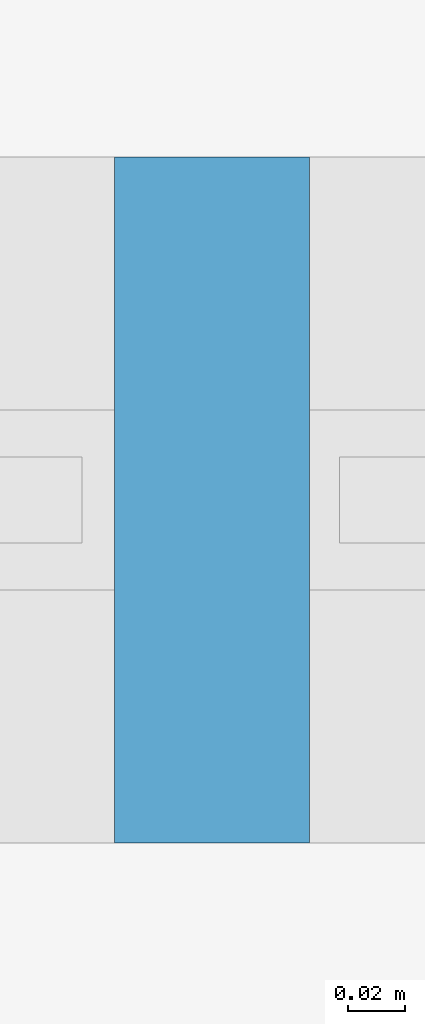
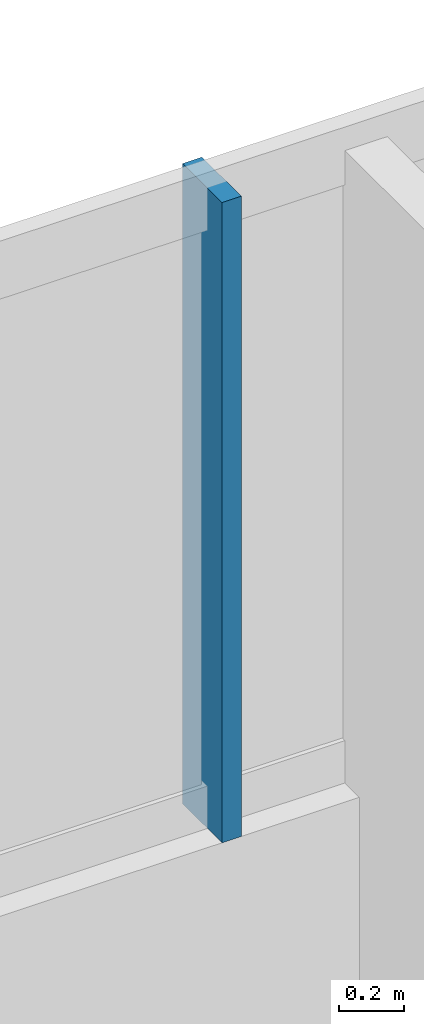
# One storey, part 8 of 21: 1 member, 1 element without a shape of its own.
"""IFC4 building model written with IfcOpenShell, lengths in metres."""

from ifc_helpers import new_model, si_unit, derived_unit, direction, frame, origin, origin_2d, place, context, subcontext, project, spatial, rectangle, extrude, material, material_profile, profile_set, type_object, element, aggregate, save


model = new_model("IFC4")

# Units and contexts
model_context = context("Model", 3, precision=1e-05, world=origin(), true_north=direction((0.0, 1.0)))
body_context = subcontext(model_context, "Body", "Model", "MODEL_VIEW")
ifc_project = project(units=[si_unit("LENGTHUNIT", "METRE"), si_unit("AREAUNIT", "SQUARE_METRE"), si_unit("VOLUMEUNIT", "CUBIC_METRE"), si_unit("PLANEANGLEUNIT", "RADIAN"), si_unit("MASSUNIT", "GRAM", prefix="KILO"), derived_unit("THERMALTRANSMITTANCEUNIT", [(si_unit("POWERUNIT", "WATT"), 1), (si_unit("LENGTHUNIT", "METRE"), -2), (si_unit("THERMODYNAMICTEMPERATUREUNIT", "KELVIN"), -1)])], contexts=[model_context])

# Site, building, storey
site_placement = place(None, origin())
site = spatial("IfcSite", under=ifc_project, at=site_placement, CompositionType="ELEMENT")
building_placement = place(site_placement, origin())
building = spatial("IfcBuilding", under=site, at=building_placement, Name="Koralith Skygarden Medical Center", CompositionType="ELEMENT")
storey_placement = place(building_placement, frame((0.0, 0.0, 5.39990234375)))
storey = spatial("IfcBuildingStorey", under=building, at=storey_placement, Name="L01", CompositionType="ELEMENT", Elevation=5.39990234375)

# Curtain wall, member
ifc_material_1 = material(Name="Clear Laminated Glass", Category="glass")
curtain_wall_type = type_object("IfcCurtainWallType", Name="CW-1 Transit & Podium Acoustic Curtain Wall", PredefinedType="NOTDEFINED", material=ifc_material_1)
curtain_wall_placement = place(storey_placement, origin())
curtain_wall = element("IfcCurtainWall", 1, at=curtain_wall_placement, inside=storey, type_object=curtain_wall_type, Name="Curtain Wall CW-L01-N", PredefinedType="NOTDEFINED")
ifc_material_2 = material(Name="Aluminium 6063-T6", Category="aluminium")
ifc_material_profile = material_profile(ifc_material_2, rectangle(XDim=0.068115234375, YDim=0.239990234375, at=origin_2d()), Name="MUL68X240")
ifc_profile_set = profile_set([ifc_material_profile], Name="Aluminium 6063-T6")
member_type = type_object("IfcMemberType", Name="CW-1 Extruded Mullion 68x240", PredefinedType="MULLION", material=ifc_profile_set)
member_placement = place(storey_placement, frame((47.8740234375, 51.3798828125, 0.85009765625), z_axis=(0.0, 0.0, 1.0), x_axis=(1.0, 0.0, 0.0)))
member = element("IfcMember", 2, at=member_placement, type_object=member_type, Name="CW-L01-N Mullion 2", PredefinedType="MULLION", context=body_context, shape_type="SweptSolid", body=[
    extrude(rectangle(XDim=0.068115234375, YDim=0.239990234375, at=origin_2d()), origin(), (0.0, 0.0, 1.0), 2.389892578125),
])
aggregate(curtain_wall, [member])

save(model, "model.ifc")
